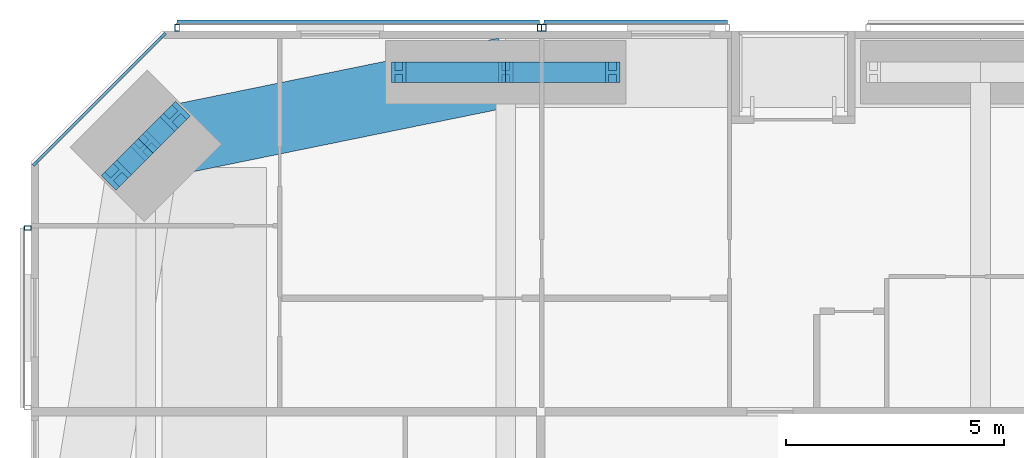
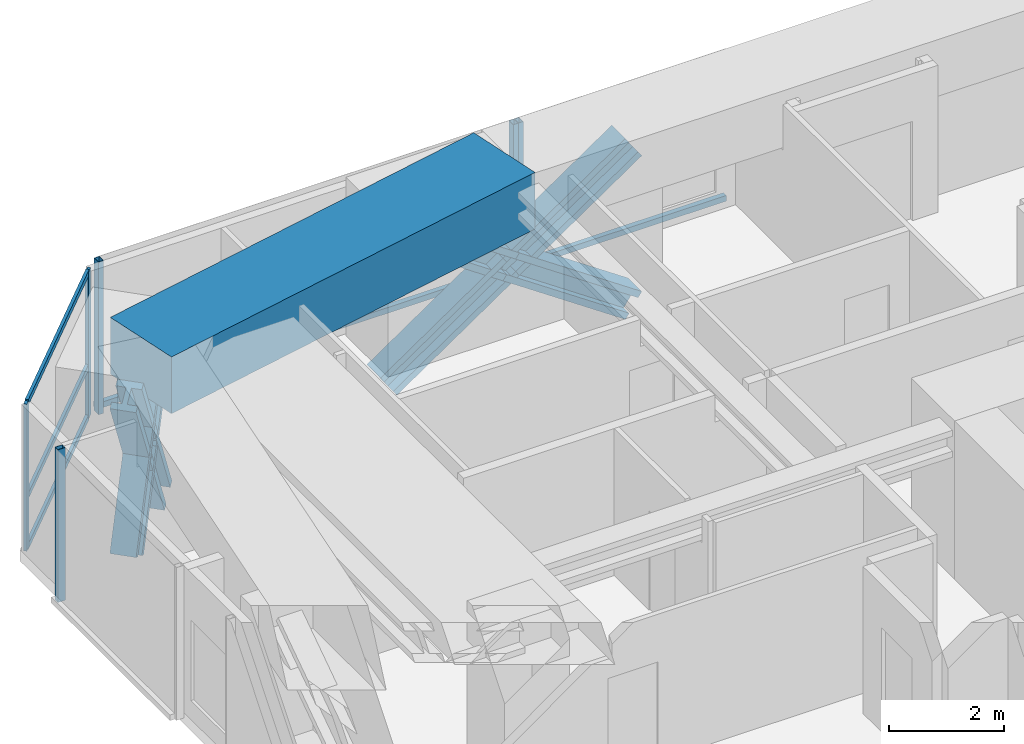
# One storey, part 12 of 24: 19 members, 1 beam, 4 elements without a shape of their own.
"""IFC4 building model written with IfcOpenShell, lengths in metres."""

from ifc_helpers import new_model, si_unit, direction, frame, origin, origin_2d, place, context, subcontext, project, spatial, rectangle, hollow_rectangle, i_section, extrude, material, material_profile, profile_set, type_object, element, aggregate, save


model = new_model("IFC4")

# Units and contexts
model_context = context("Model", 3, precision=1e-05, world=origin(), true_north=direction((0.0, 1.0)))
body_context = subcontext(model_context, "Body", "Model", "MODEL_VIEW")
ifc_project = project(units=[si_unit("LENGTHUNIT", "METRE"), si_unit("AREAUNIT", "SQUARE_METRE"), si_unit("VOLUMEUNIT", "CUBIC_METRE"), si_unit("PLANEANGLEUNIT", "RADIAN"), si_unit("MASSUNIT", "GRAM", prefix="KILO")], contexts=[model_context])

# Site, building, storey
site_placement = place(None, origin())
site = spatial("IfcSite", under=ifc_project, at=site_placement, CompositionType="ELEMENT")
building_placement = place(site_placement, origin())
building = spatial("IfcBuilding", under=site, at=building_placement, Name="Jalousie Tower", CompositionType="ELEMENT")
storey_placement = place(building_placement, frame((0.0, 0.0, 128.300048828125)))
storey = spatial("IfcBuildingStorey", under=building, at=storey_placement, Name="L35", CompositionType="ELEMENT", Elevation=128.300048828125)

# Curtain wall, members
ifc_material_1 = material(Name="Aluminium curtain wall", Category="aluminium")
curtain_wall_type_1 = type_object("IfcCurtainWallType", Name="CORNER WINDOW WALL", PredefinedType="USERDEFINED", material=ifc_material_1)
curtain_wall_1_placement = place(storey_placement, origin())
curtain_wall_1 = element("IfcCurtainWall", 1, at=curtain_wall_1_placement, inside=storey, type_object=curtain_wall_type_1, Name="Corner Window Wall L35 6", ObjectType="CORNER WINDOW WALL", PredefinedType="USERDEFINED")
ifc_material_2 = material(Name="Aluminium mullion", Category="aluminium")
ifc_material_profile_1 = material_profile(ifc_material_2, rectangle(XDim=0.06005859375, YDim=0.14990234375, at=origin_2d()), Name="MULLION 60x150")
ifc_profile_set_1 = profile_set([ifc_material_profile_1], Name="Aluminium mullion")
member_type_1 = type_object("IfcMemberType", Name="CORNER WINDOW WALL MULLION", PredefinedType="MULLION", material=ifc_profile_set_1)
member_1_placement = place(storey_placement, frame((9.030029296875, 37.891357421875, 0.0), z_axis=(0.0, 0.0, 1.0), x_axis=(0.707106781187, -0.707106781187, 0.0)))
member_1 = element("IfcMember", 2, at=member_1_placement, type_object=member_type_1, Name="CW-C mullion 1", PredefinedType="MULLION", context=body_context, shape_type="SweptSolid", body=[
    extrude(rectangle(XDim=0.06005859375, YDim=0.14990234375, at=origin_2d()), origin(), (0.0, 0.0, 1.0), 3.10986328125),
])
member_2_placement = place(storey_placement, frame((6.108642578125, 34.969970703125, 0.0), z_axis=(0.0, 0.0, 1.0), x_axis=(0.707106781187, -0.707106781187, 0.0)))
member_2 = element("IfcMember", 3, at=member_2_placement, type_object=member_type_1, Name="CW-C mullion 2", PredefinedType="MULLION", context=body_context, shape_type="SweptSolid", body=[
    extrude(rectangle(XDim=0.06005859375, YDim=0.14990234375, at=origin_2d()), origin(), (0.0, 0.0, 1.0), 3.10986328125),
])
ifc_material_3 = material(Name="Aluminium transom", Category="aluminium")
ifc_material_profile_2 = material_profile(ifc_material_3, rectangle(XDim=0.06005859375, YDim=0.1201171875, at=origin_2d()), Name="TRANSOM 60x120")
ifc_profile_set_2 = profile_set([ifc_material_profile_2], Name="Aluminium transom")
member_type_2 = type_object("IfcMemberType", Name="CORNER WINDOW WALL TRANSOM", PredefinedType="USERDEFINED", material=ifc_profile_set_2)
member_3_placement = place(storey_placement, frame((9.0087890625, 37.8701171875, 0.030029296875), z_axis=(-0.707106781187, -0.707106781187, 0.0), x_axis=(0.707106781187, -0.707106781187, 0.0)))
member_3 = element("IfcMember", 4, at=member_3_placement, type_object=member_type_2, Name="CW-C transom 1.1", ObjectType="TRANSOM", PredefinedType="USERDEFINED", context=body_context, shape_type="SweptSolid", body=[
    extrude(rectangle(XDim=0.06005859375, YDim=0.1201171875, at=origin_2d()), origin(), (0.0, 0.0, 1.0), 4.0712890625),
])
member_4_placement = place(storey_placement, frame((9.0087890625, 37.8701171875, 1.099853515625), z_axis=(-0.707106781187, -0.707106781187, 0.0), x_axis=(0.707106781187, -0.707106781187, 0.0)))
member_4 = element("IfcMember", 5, at=member_4_placement, type_object=member_type_2, Name="CW-C transom 1.2", ObjectType="TRANSOM", PredefinedType="USERDEFINED", context=body_context, shape_type="SweptSolid", body=[
    extrude(rectangle(XDim=0.06005859375, YDim=0.1201171875, at=origin_2d()), origin(), (0.0, 0.0, 1.0), 4.0712890625),
])
member_5_placement = place(storey_placement, frame((9.0087890625, 37.8701171875, 3.079833984375), z_axis=(-0.707106781187, -0.707106781187, 0.0), x_axis=(0.707106781187, -0.707106781187, 0.0)))
member_5 = element("IfcMember", 6, at=member_5_placement, type_object=member_type_2, Name="CW-C transom 1.3", ObjectType="TRANSOM", PredefinedType="USERDEFINED", context=body_context, shape_type="SweptSolid", body=[
    extrude(rectangle(XDim=0.06005859375, YDim=0.1201171875, at=origin_2d()), origin(), (0.0, 0.0, 1.0), 4.0712890625),
])
aggregate(curtain_wall_1, [member_1, member_2, member_3, member_4, member_5])

# Members
ifc_material_4 = material(Name="Steel ASTM A992 Grade 50", Category="steel")
ifc_material_profile_3 = material_profile(ifc_material_4, i_section(OverallWidth=0.472412109375, OverallDepth=0.5791015625, WebThickness=0.094970703125, FlangeThickness=0.1298828125, at=origin_2d()), Name="W14X808")
ifc_profile_set_3 = profile_set([ifc_material_profile_3], Name="Steel ASTM A992 Grade 50")
member_type_3 = type_object("IfcMemberType", Name="PERIMETER BRACE W14X808", PredefinedType="BRACE", material=ifc_profile_set_3)
for number, where, z_axis, x_axis, name in (
    (7, (14.425048828125, 37.050048828125, -0.60009765625), (0.825500916831, 0.0, 0.564400776321), (0.0, 1.0, 0.0), "Perimeter brace 11 L35 part 1"),
    (8, (16.875, 37.050048828125, 1.074951171875), (0.825500916831, 0.0, 0.564400776321), (0.0, 1.0, 0.0), "Perimeter brace 11 L35 part 2"),
    (9, (19.324951171875, 37.050048828125, -0.60009765625), (-0.825500916831, 0.0, 0.564400776321), (0.0, -1.0, 0.0), "Perimeter brace 11 L35 part 3"),
    (10, (16.875, 37.050048828125, 1.074951171875), (-0.825500916831, 0.0, 0.564400776321), (0.0, -1.0, 0.0), "Perimeter brace 11 L35 part 4"),
):
    element("IfcMember", number, at=place(storey_placement, frame(where, z_axis=z_axis, x_axis=x_axis)), inside=storey, type_object=member_type_3, Name=name, PredefinedType="BRACE", context=body_context, shape_type="SweptSolid", body=[
        extrude(i_section(OverallWidth=0.472412109375, OverallDepth=0.5791015625, WebThickness=0.094970703125, FlangeThickness=0.1298828125, at=origin_2d()), origin(), (0.0, 0.0, 1.0), 2.9677734375),
    ])
for number, where, z_axis, x_axis, name in (
    (11, (9.302978515625, 36.040283203125, -0.60009765625), (-0.348789058631, -0.348789058631, 0.869880672943), (0.707106781187, -0.707106781187, 0.0), "Perimeter brace 12 L35 part 1"),
    (12, (8.63134765625, 35.36865234375, 1.074951171875), (-0.348789058631, -0.348789058631, 0.869880672943), (0.707106781187, -0.707106781187, 0.0), "Perimeter brace 12 L35 part 2"),
    (13, (7.959716796875, 34.697021484375, -0.60009765625), (0.348789058631, 0.348789058631, 0.869880672943), (-0.707106781187, 0.707106781187, 0.0), "Perimeter brace 12 L35 part 3"),
    (14, (8.63134765625, 35.36865234375, 1.074951171875), (0.348789058631, 0.348789058631, 0.869880672943), (-0.707106781187, 0.707106781187, 0.0), "Perimeter brace 12 L35 part 4"),
):
    element("IfcMember", number, at=place(storey_placement, frame(where, z_axis=z_axis, x_axis=x_axis)), inside=storey, type_object=member_type_3, Name=name, PredefinedType="BRACE", context=body_context, shape_type="SweptSolid", body=[
        extrude(i_section(OverallWidth=0.472412109375, OverallDepth=0.5791015625, WebThickness=0.094970703125, FlangeThickness=0.1298828125, at=origin_2d()), origin(), (0.0, 0.0, 1.0), 1.925537109375),
    ])

# Beam
ifc_material_5 = material(Name="Concrete f'c 40 MPa", Category="concrete")
ifc_material_profile_4 = material_profile(ifc_material_5, rectangle(XDim=1.60009765625, YDim=1.199951171875, at=origin_2d()), Name="RC 1600x1200")
ifc_profile_set_4 = profile_set([ifc_material_profile_4], Name="Concrete f'c 40 MPa")
beam_type = type_object("IfcBeamType", Name="RC BEAM 1600x1200", PredefinedType="BEAM", material=ifc_profile_set_4)
beam_placement = place(storey_placement, frame((16.875, 37.050048828125, 2.75), z_axis=(-0.97982690954, -0.199848010602, 0.0), x_axis=(0.199848010602, -0.97982690954, 0.0)))
element("IfcBeam", 15, at=beam_placement, inside=storey, type_object=beam_type, Name="Edge band beam 11-12 under L36", PredefinedType="BEAM", context=body_context, shape_type="SweptSolid", body=[
    extrude(rectangle(XDim=1.60009765625, YDim=1.199951171875, at=origin_2d()), origin(), (0.0, 0.0, 1.0), 8.413330078125),
])

# Curtain wall, member
ifc_material_6 = material(Name="Perforated aluminium sheet", Category="aluminium")
curtain_wall_type_2 = type_object("IfcCurtainWallType", Name="SOLAR SCREEN SS-1", PredefinedType="USERDEFINED", material=ifc_material_6)
curtain_wall_2_placement = place(storey_placement, origin())
curtain_wall_2 = element("IfcCurtainWall", 16, at=curtain_wall_2_placement, inside=storey, type_object=curtain_wall_type_2, Name="Solar screen L35", ObjectType="SOLAR SCREEN SS-1", PredefinedType="USERDEFINED")
ifc_material_7 = material(Name="Steel ASTM A500 Grade C", Category="steel")
ifc_material_profile_5 = material_profile(ifc_material_7, hollow_rectangle(XDim=0.1015625, YDim=0.15234375, WallThickness=0.00634765625, at=origin_2d()), Name="HSS6X4X1/4")
ifc_profile_set_5 = profile_set([ifc_material_profile_5], Name="Steel ASTM A500 Grade C")
member_type_4 = type_object("IfcMemberType", Name="SOLAR SCREEN SS-1 MULLION", PredefinedType="MULLION", material=ifc_profile_set_5)
member_6_placement = place(storey_placement, frame((17.75, 38.0712890625, -0.1201171875), z_axis=(0.0, 0.0, 1.0), x_axis=(-1.0, 0.0, 0.0)))
member_6 = element("IfcMember", 17, at=member_6_placement, type_object=member_type_4, Name="SS1 post 2", PredefinedType="MULLION", context=body_context, shape_type="SweptSolid", body=[
    extrude(hollow_rectangle(XDim=0.1015625, YDim=0.15234375, WallThickness=0.00634765625, at=origin_2d()), origin(), (0.0, 0.0, 1.0), 3.22998046875),
])

# Curtain wall, members
curtain_wall_3_placement = place(storey_placement, origin())
curtain_wall_3 = element("IfcCurtainWall", 18, at=curtain_wall_3_placement, inside=storey, type_object=curtain_wall_type_2, Name="Solar screen L35", ObjectType="SOLAR SCREEN SS-1", PredefinedType="USERDEFINED")
member_7_placement = place(storey_placement, frame((17.64990234375, 38.0712890625, -0.1201171875), z_axis=(0.0, 0.0, 1.0), x_axis=(-1.0, 0.0, 0.0)))
member_7 = element("IfcMember", 19, at=member_7_placement, type_object=member_type_4, Name="SS1 post 1", PredefinedType="MULLION", context=body_context, shape_type="SweptSolid", body=[
    extrude(hollow_rectangle(XDim=0.1015625, YDim=0.15234375, WallThickness=0.00634765625, at=origin_2d()), origin(), (0.0, 0.0, 1.0), 3.22998046875),
])
member_8_placement = place(storey_placement, frame((9.351318359375, 38.0712890625, -0.1201171875), z_axis=(0.0, 0.0, 1.0), x_axis=(-1.0, 0.0, 0.0)))
member_8 = element("IfcMember", 20, at=member_8_placement, type_object=member_type_4, Name="SS1 post 2", PredefinedType="MULLION", context=body_context, shape_type="SweptSolid", body=[
    extrude(hollow_rectangle(XDim=0.1015625, YDim=0.15234375, WallThickness=0.00634765625, at=origin_2d()), origin(), (0.0, 0.0, 1.0), 3.22998046875),
])

# Curtain wall, member
curtain_wall_4_placement = place(storey_placement, origin())
curtain_wall_4 = element("IfcCurtainWall", 21, at=curtain_wall_4_placement, inside=storey, type_object=curtain_wall_type_2, Name="Solar screen L35", ObjectType="SOLAR SCREEN SS-1", PredefinedType="USERDEFINED")
member_9_placement = place(storey_placement, frame((5.9287109375, 33.486083984375, -0.1201171875), z_axis=(0.0, 0.0, 1.0), x_axis=(0.0, -1.0, 0.0)))
member_9 = element("IfcMember", 22, at=member_9_placement, type_object=member_type_4, Name="SS1 post 1", PredefinedType="MULLION", context=body_context, shape_type="SweptSolid", body=[
    extrude(hollow_rectangle(XDim=0.1015625, YDim=0.15234375, WallThickness=0.00634765625, at=origin_2d()), origin(), (0.0, 0.0, 1.0), 3.22998046875),
])
aggregate(curtain_wall_4, [member_9])

# Member
ifc_material_8 = material(Name="Extruded aluminium screen rail", Category="aluminium")
ifc_material_profile_6 = material_profile(ifc_material_8, rectangle(XDim=0.1015625, YDim=0.1201171875, at=origin_2d()), Name="RAIL 102x120")
ifc_profile_set_6 = profile_set([ifc_material_profile_6], Name="Extruded aluminium screen rail")
member_type_5 = type_object("IfcMemberType", Name="SOLAR SCREEN SS-1 TRANSOM", PredefinedType="USERDEFINED", material=ifc_profile_set_6)
member_10_placement = place(storey_placement, frame((21.949951171875, 38.1982421875, -0.06005859375), z_axis=(-1.0, 0.0, 0.0), x_axis=(0.0, -1.0, 0.0)))
member_10 = element("IfcMember", 23, at=member_10_placement, type_object=member_type_5, Name="SS1 rail", ObjectType="TRANSOM", PredefinedType="USERDEFINED", context=body_context, shape_type="SweptSolid", body=[
    extrude(rectangle(XDim=0.1015625, YDim=0.1201171875, at=origin_2d()), origin(), (0.0, 0.0, 1.0), 4.199951171875),
])

aggregate(curtain_wall_2, [member_6, member_10])

member_11_placement = place(storey_placement, frame((17.64990234375, 38.1982421875, -0.06005859375), z_axis=(-1.0, 0.0, 0.0), x_axis=(0.0, -1.0, 0.0)))
member_11 = element("IfcMember", 24, at=member_11_placement, type_object=member_type_5, Name="SS1 rail", ObjectType="TRANSOM", PredefinedType="USERDEFINED", context=body_context, shape_type="SweptSolid", body=[
    extrude(rectangle(XDim=0.1015625, YDim=0.1201171875, at=origin_2d()), origin(), (0.0, 0.0, 1.0), 8.298583984375),
])

aggregate(curtain_wall_3, [member_7, member_8, member_11])

save(model, "model.ifc")
